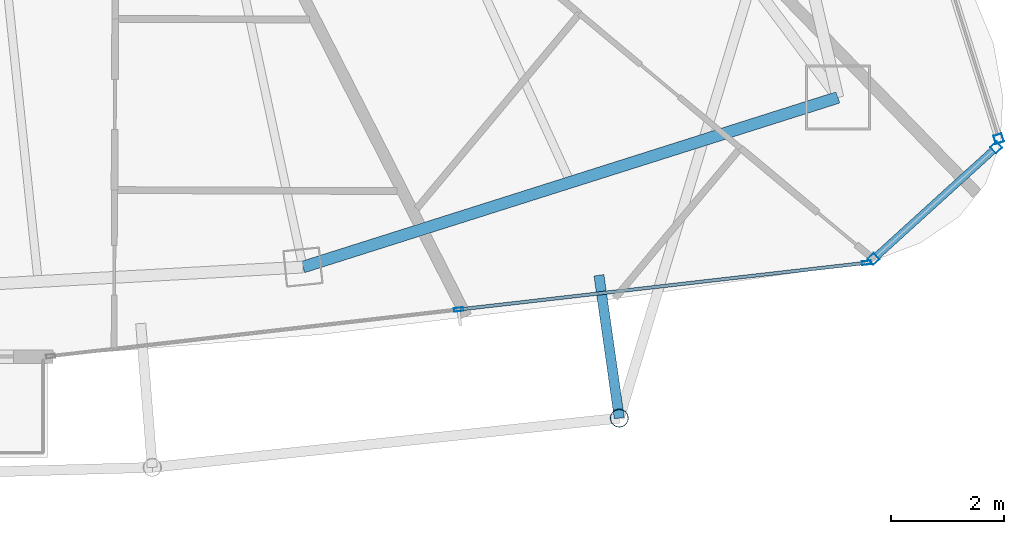
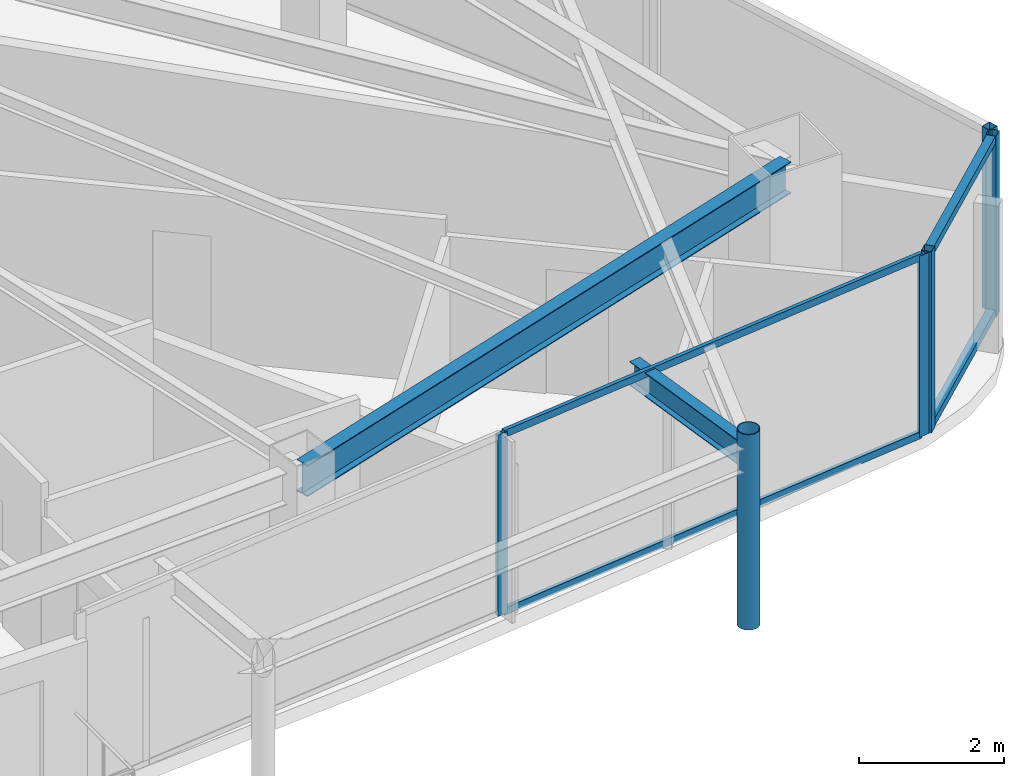
# One storey, part 14 of 30: 10 members, 2 beams, 3 elements without a shape of their own.
"""IFC4 building model written with IfcOpenShell, lengths in metres."""

from ifc_helpers import new_model, si_unit, direction, frame, origin, origin_2d, place, context, subcontext, project, spatial, hollow_rectangle, hollow_circle, i_section, extrude, material, layer, layer_set, material_profile, profile_set, type_object, element, aggregate, save


model = new_model("IFC4")

# Units and contexts
model_context = context("Model", 3, precision=1e-05, world=origin(), true_north=direction((0.0, 1.0)))
body_context = subcontext(model_context, "Body", "Model", "MODEL_VIEW")
ifc_project = project(units=[si_unit("LENGTHUNIT", "METRE"), si_unit("AREAUNIT", "SQUARE_METRE"), si_unit("VOLUMEUNIT", "CUBIC_METRE"), si_unit("PLANEANGLEUNIT", "RADIAN"), si_unit("MASSUNIT", "GRAM", prefix="KILO")], contexts=[model_context])

# Site, building, storey
site_placement = place(None, origin())
site = spatial("IfcSite", under=ifc_project, at=site_placement, CompositionType="ELEMENT")
building_placement = place(site_placement, origin())
building = spatial("IfcBuilding", under=site, at=building_placement, Name="Orvanel Arch Residences", CompositionType="ELEMENT")
storey_placement = place(building_placement, frame((0.0, 0.0, 270.050048828125)))
storey = spatial("IfcBuildingStorey", under=building, at=storey_placement, Name="L77", CompositionType="ELEMENT", Elevation=270.050048828125)

# Curtain wall, members
ifc_material_1 = material(Name="Bronze-anodised aluminium AA6063-T6", Category="aluminium")
ifc_layer_1 = layer(ifc_material_1, 0.18994140625)
ifc_layer_set_1 = layer_set([ifc_layer_1], Name="Bronze-anodised aluminium AA6063-T6")
curtain_wall_type_1 = type_object("IfcCurtainWallType", Name="CW5-CRN-SYS", PredefinedType="NOTDEFINED", material=ifc_layer_set_1)
curtain_wall_1_placement = place(storey_placement, origin())
curtain_wall_1 = element("IfcCurtainWall", 1, at=curtain_wall_1_placement, inside=storey, type_object=curtain_wall_type_1, Name="L77 CW5-CRN-SYS Unitised Curtain Wall", PredefinedType="NOTDEFINED")
ifc_material_profile_1 = material_profile(ifc_material_1, hollow_rectangle(XDim=0.14990234375, YDim=0.14990234375, WallThickness=0.0048828125, at=origin_2d()), Name="ALU150x150x5")
ifc_profile_set_1 = profile_set([ifc_material_profile_1], Name="Bronze-anodised aluminium AA6063-T6")
member_type_1 = type_object("IfcMemberType", Name="MUL-150x150", PredefinedType="MULLION", material=ifc_profile_set_1)
member_1_placement = place(storey_placement, frame((52.431396484375, 7.49951171875, 0.0), z_axis=(0.0, 0.0, 1.0), x_axis=(-0.672349393013, 0.74023394526, 0.0)))
member_1 = element("IfcMember", 2, at=member_1_placement, type_object=member_type_1, Name="CW-S5 mullion 1", PredefinedType="MULLION", context=body_context, shape_type="SweptSolid", body=[
    extrude(hollow_rectangle(XDim=0.14990234375, YDim=0.14990234375, WallThickness=0.0048828125, at=origin_2d()), origin(), (0.0, 0.0, 1.0), 3.06005859375),
])
member_2_placement = place(storey_placement, frame((54.599365234375, 9.468505859375, 0.0), z_axis=(0.0, 0.0, 1.0), x_axis=(-0.672349393013, 0.74023394526, 0.0)))
member_2 = element("IfcMember", 3, at=member_2_placement, type_object=member_type_1, Name="CW-S5 mullion 2", PredefinedType="MULLION", context=body_context, shape_type="SweptSolid", body=[
    extrude(hollow_rectangle(XDim=0.14990234375, YDim=0.14990234375, WallThickness=0.0048828125, at=origin_2d()), origin(), (0.0, 0.0, 1.0), 3.06005859375),
])

# Curtain wall, member
curtain_wall_2_placement = place(storey_placement, origin())
curtain_wall_2 = element("IfcCurtainWall", 4, at=curtain_wall_2_placement, inside=storey, type_object=curtain_wall_type_1, Name="L77 CW5-CRN-SYS Unitised Curtain Wall", PredefinedType="NOTDEFINED")
member_3_placement = place(storey_placement, frame((54.641357421875, 9.62255859375, 0.0), z_axis=(0.0, 0.0, 1.0), x_axis=(-0.953722136358, -0.300689352356, 0.0)))
member_3 = element("IfcMember", 5, at=member_3_placement, type_object=member_type_1, Name="CW-S5 mullion 1", PredefinedType="MULLION", context=body_context, shape_type="SweptSolid", body=[
    extrude(hollow_rectangle(XDim=0.14990234375, YDim=0.14990234375, WallThickness=0.0048828125, at=origin_2d()), origin(), (0.0, 0.0, 1.0), 3.06005859375),
])
aggregate(curtain_wall_2, [member_3])

# Curtain wall, members
ifc_layer_2 = layer(ifc_material_1, 0.175048828125)
ifc_layer_set_2 = layer_set([ifc_layer_2], Name="Bronze-anodised aluminium AA6063-T6")
curtain_wall_type_2 = type_object("IfcCurtainWallType", Name="CW4-HI-SYS", PredefinedType="NOTDEFINED", material=ifc_layer_set_2)
curtain_wall_3_placement = place(storey_placement, origin())
curtain_wall_3 = element("IfcCurtainWall", 6, at=curtain_wall_3_placement, inside=storey, type_object=curtain_wall_type_2, Name="L77 CW4-HI-SYS Unitised Curtain Wall", PredefinedType="NOTDEFINED")
ifc_material_profile_2 = material_profile(ifc_material_1, hollow_rectangle(XDim=0.06494140625, YDim=0.159912109375, WallThickness=0.00390625, at=origin_2d()), Name="ALU160x65x4")
ifc_profile_set_2 = profile_set([ifc_material_profile_2], Name="Bronze-anodised aluminium AA6063-T6")
member_type_2 = type_object("IfcMemberType", Name="MUL-160x65", PredefinedType="MULLION", material=ifc_profile_set_2)
member_4_placement = place(storey_placement, frame((45.1005859375, 6.60498046875, 0.0), z_axis=(0.0, 0.0, 1.0), x_axis=(-0.113751693375, 0.993509210956, 0.0)))
member_4 = element("IfcMember", 7, at=member_4_placement, type_object=member_type_2, Name="CW-S4 mullion 2", PredefinedType="MULLION", context=body_context, shape_type="SweptSolid", body=[
    extrude(hollow_rectangle(XDim=0.06494140625, YDim=0.159912109375, WallThickness=0.00390625, at=origin_2d()), origin(), (0.0, 0.0, 1.0), 3.06005859375),
])
member_5_placement = place(storey_placement, frame((52.30859375, 7.430419921875, 0.0), z_axis=(0.0, 0.0, 1.0), x_axis=(-0.113751693375, 0.993509210956, 0.0)))
member_5 = element("IfcMember", 8, at=member_5_placement, type_object=member_type_2, Name="CW-S4 mullion 3", PredefinedType="MULLION", context=body_context, shape_type="SweptSolid", body=[
    extrude(hollow_rectangle(XDim=0.06494140625, YDim=0.159912109375, WallThickness=0.00390625, at=origin_2d()), origin(), (0.0, 0.0, 1.0), 3.06005859375),
])

# Beams
ifc_material_2 = material(Name="Structural steel AS/NZS 3679.1 Grade 300 (300 MPa)", Category="steel")
ifc_material_profile_3 = material_profile(ifc_material_2, i_section(OverallWidth=0.177978515625, OverallDepth=0.406005859375, WebThickness=0.0078125, FlangeThickness=0.0126953125, at=origin_2d()), Name="410UB59.7")
ifc_profile_set_3 = profile_set([ifc_material_profile_3], Name="Structural steel AS/NZS 3679.1 Grade 300 (300 MPa)")
beam_type_1 = type_object("IfcBeamType", Name="OB-410UB-EXT", PredefinedType="SPANDREL", material=ifc_profile_set_3)
beam_1_placement = place(storey_placement, frame((47.580078125, 7.2099609375, 2.85693359375), z_axis=(0.141153217394, -0.989987762156, 0.0), x_axis=(0.989987762156, 0.141153217394, 0.0)))
element("IfcBeam", 9, at=beam_1_placement, inside=storey, type_object=beam_type_1, Name="L77 Outer Frame Radial Tie Beam 08", PredefinedType="SPANDREL", context=body_context, shape_type="SweptSolid", body=[
    extrude(i_section(OverallWidth=0.177978515625, OverallDepth=0.406005859375, WebThickness=0.0078125, FlangeThickness=0.0126953125, at=origin_2d()), origin(), (0.0, 0.0, 1.0), 2.549560546875),
])
ifc_material_profile_4 = material_profile(ifc_material_2, i_section(OverallWidth=0.208984375, OverallDepth=0.532958984375, WebThickness=0.01025390625, FlangeThickness=0.015625, at=origin_2d()), Name="530UB92.4")
ifc_profile_set_4 = profile_set([ifc_material_profile_4], Name="Structural steel AS/NZS 3679.1 Grade 300 (300 MPa)")
beam_type_2 = type_object("IfcBeamType", Name="SP-530UB", PredefinedType="SPANDREL", material=ifc_profile_set_4)
beam_2_placement = place(storey_placement, frame((42.35107421875, 7.35498046875, 2.7939453125), z_axis=(0.953237386592, 0.302222574941, 0.0), x_axis=(-0.302222574941, 0.953237386592, 0.0)))
element("IfcBeam", 10, at=beam_2_placement, inside=storey, type_object=beam_type_2, Name="L77 Perimeter Spandrel Beam 05", PredefinedType="SPANDREL", context=body_context, shape_type="SweptSolid", body=[
    extrude(i_section(OverallWidth=0.208984375, OverallDepth=0.532958984375, WebThickness=0.01025390625, FlangeThickness=0.015625, at=origin_2d()), origin(), (0.0, 0.0, 1.0), 9.91357421875),
])

# Member
ifc_material_3 = material(Name="Structural steel AS/NZS 1163 C350L0 (Grade 350)", Category="steel")
ifc_material_profile_5 = material_profile(ifc_material_3, hollow_circle(Radius=0.162109375, WallThickness=0.0126953125, at=origin_2d()), Name="CHS324x12.7")
ifc_profile_set_5 = profile_set([ifc_material_profile_5], Name="Structural steel AS/NZS 1163 C350L0 (Grade 350)")
member_type_3 = type_object("IfcMemberType", Name="ST-324CHS-EXT", PredefinedType="STRUT", material=ifc_profile_set_5)
member_6_placement = place(storey_placement, frame((47.93994140625, 4.68603515625, 0.0), z_axis=(0.0, 0.0, 1.0), x_axis=(1.0, 0.0, 0.0)))
element("IfcMember", 11, at=member_6_placement, inside=storey, type_object=member_type_3, Name="L77 Outer Perimeter Frame Post 08", PredefinedType="STRUT", context=body_context, shape_type="SweptSolid", body=[
    extrude(hollow_circle(Radius=0.162109375, WallThickness=0.0126953125, at=origin_2d()), origin(), (0.0, 0.0, 1.0), 3.300048828125),
])

ifc_material_profile_6 = material_profile(ifc_material_1, hollow_rectangle(XDim=0.06005859375, YDim=0.1201171875, WallThickness=0.00341796875, at=origin_2d()), Name="ALU120x60x3.5")
ifc_profile_set_6 = profile_set([ifc_material_profile_6], Name="Bronze-anodised aluminium AA6063-T6")
member_type_4 = type_object("IfcMemberType", Name="TRN-120x60", PredefinedType="USERDEFINED", material=ifc_profile_set_6)
member_7_placement = place(storey_placement, frame((45.1328125, 6.608642578125, 0.030029296875), z_axis=(0.99350966938, 0.11374768942, 0.0), x_axis=(-0.11374768942, 0.99350966938, 0.0)))
member_7 = element("IfcMember", 12, at=member_7_placement, type_object=member_type_4, Name="CW-S4 transom 2.1", ObjectType="TRANSOM", PredefinedType="USERDEFINED", context=body_context, shape_type="SweptSolid", body=[
    extrude(hollow_rectangle(XDim=0.06005859375, YDim=0.1201171875, WallThickness=0.00341796875, at=origin_2d()), origin(), (0.0, 0.0, 1.0), 7.190185546875),
])

member_8_placement = place(storey_placement, frame((45.1328125, 6.608642578125, 3.030029296875), z_axis=(0.99350966938, 0.11374768942, 0.0), x_axis=(-0.11374768942, 0.99350966938, 0.0)))
member_8 = element("IfcMember", 13, at=member_8_placement, type_object=member_type_4, Name="CW-S4 transom 2.2", ObjectType="TRANSOM", PredefinedType="USERDEFINED", context=body_context, shape_type="SweptSolid", body=[
    extrude(hollow_rectangle(XDim=0.06005859375, YDim=0.1201171875, WallThickness=0.00341796875, at=origin_2d()), origin(), (0.0, 0.0, 1.0), 7.190185546875),
])

aggregate(curtain_wall_3, [member_4, member_5, member_7, member_8])

ifc_material_profile_7 = material_profile(ifc_material_1, hollow_rectangle(XDim=0.1298828125, YDim=0.1298828125, WallThickness=0.00439453125, at=origin_2d()), Name="ALU130x130x4.5")
ifc_profile_set_7 = profile_set([ifc_material_profile_7], Name="Bronze-anodised aluminium AA6063-T6")
member_type_5 = type_object("IfcMemberType", Name="TRN-130x130", PredefinedType="USERDEFINED", material=ifc_profile_set_7)
member_9_placement = place(storey_placement, frame((52.487060546875, 7.5498046875, 0.06494140625), z_axis=(0.7402063732, 0.672379747668, 0.0), x_axis=(-0.672379747668, 0.7402063732, 0.0)))
member_9 = element("IfcMember", 14, at=member_9_placement, type_object=member_type_5, Name="CW-S5 transom 1.1", ObjectType="TRANSOM", PredefinedType="USERDEFINED", context=body_context, shape_type="SweptSolid", body=[
    extrude(hollow_rectangle(XDim=0.1298828125, YDim=0.1298828125, WallThickness=0.00439453125, at=origin_2d()), origin(), (0.0, 0.0, 1.0), 2.77880859375),
])

member_10_placement = place(storey_placement, frame((52.487060546875, 7.5498046875, 2.994873046875), z_axis=(0.7402063732, 0.672379747668, 0.0), x_axis=(-0.672379747668, 0.7402063732, 0.0)))
member_10 = element("IfcMember", 15, at=member_10_placement, type_object=member_type_5, Name="CW-S5 transom 1.2", ObjectType="TRANSOM", PredefinedType="USERDEFINED", context=body_context, shape_type="SweptSolid", body=[
    extrude(hollow_rectangle(XDim=0.1298828125, YDim=0.1298828125, WallThickness=0.00439453125, at=origin_2d()), origin(), (0.0, 0.0, 1.0), 2.77880859375),
])

aggregate(curtain_wall_1, [member_1, member_2, member_9, member_10])

save(model, "model.ifc")
